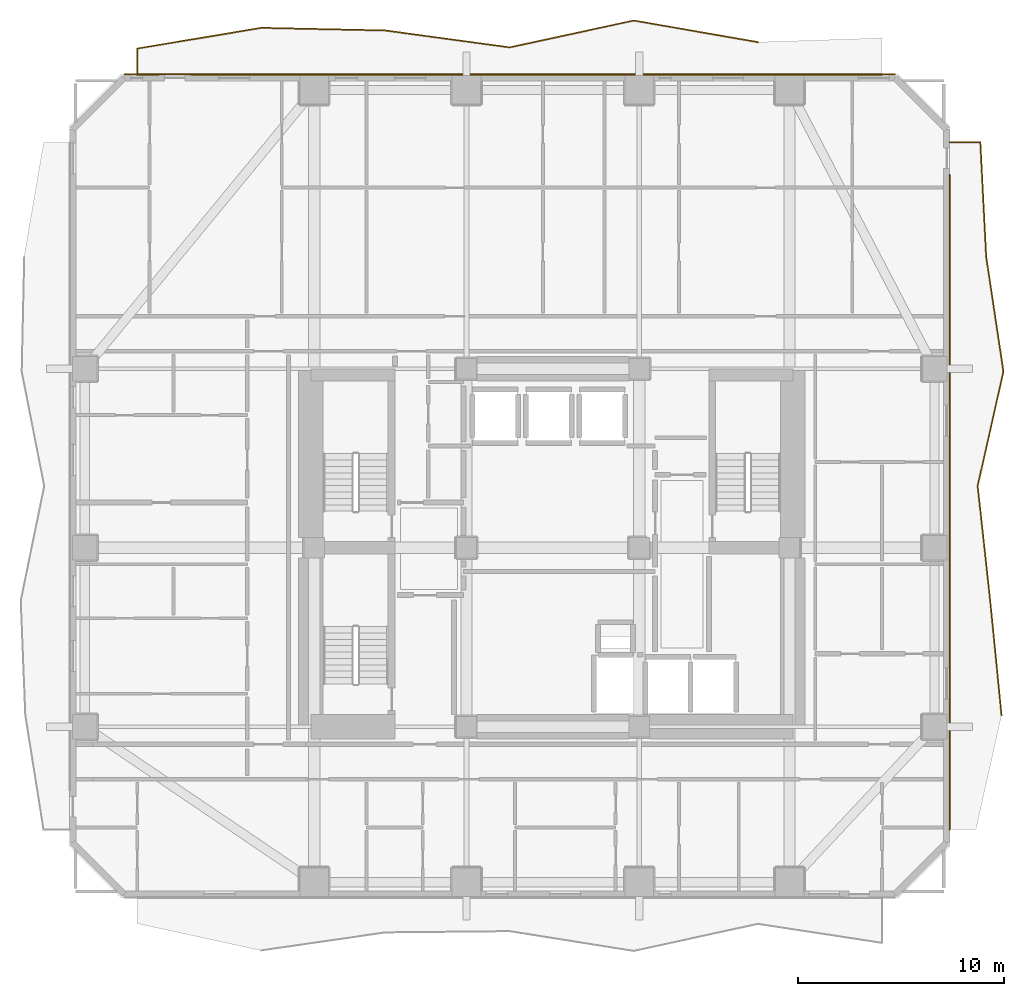
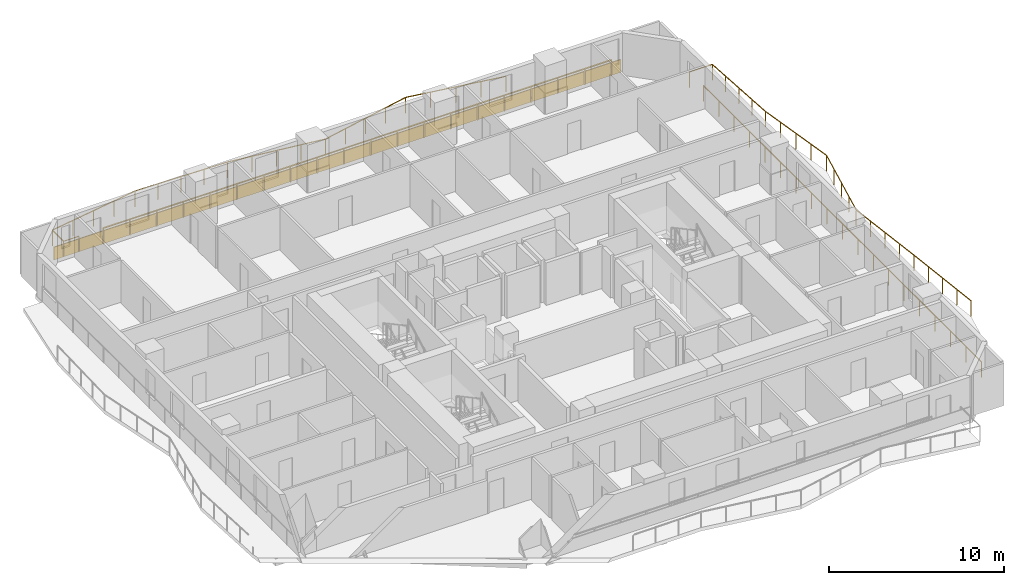
# One storey, part 12 of 12: 4 railings, 1 covering.
"""IFC4 building model written with IfcOpenShell, lengths in metres."""

from ifc_helpers import new_model, si_unit, direction, frame, frame_2d, origin, origin_2d, place, context, subcontext, project, spatial, rectangle, extrude, material, layer, layer_set, type_object, element, save


model = new_model("IFC4")

# Units and contexts
model_context = context("Model", 3, precision=1e-05, world=origin(), true_north=direction((0.0, 1.0)))
body_context = subcontext(model_context, "Body", "Model", "MODEL_VIEW")
ifc_project = project(units=[si_unit("LENGTHUNIT", "METRE"), si_unit("AREAUNIT", "SQUARE_METRE"), si_unit("VOLUMEUNIT", "CUBIC_METRE"), si_unit("PLANEANGLEUNIT", "RADIAN"), si_unit("MASSUNIT", "GRAM", prefix="KILO")], contexts=[model_context])

# Site, building, storey
site_placement = place(None, origin())
site = spatial("IfcSite", under=ifc_project, at=site_placement, CompositionType="ELEMENT")
building_placement = place(site_placement, origin())
building = spatial("IfcBuilding", under=site, at=building_placement, Name="Solanera Arch Residences", CompositionType="ELEMENT")
storey_placement = place(building_placement, frame((0.0, 0.0, 85.080078125)))
storey = spatial("IfcBuildingStorey", under=building, at=storey_placement, Name="L24", CompositionType="ELEMENT", Elevation=85.080078125)

# Railings
ifc_material_1 = material(Name="Steel S355 (ASTM A992 / A572 Grade 50)", Category="steel")
railing_type = type_object("IfcRailingType", Name="Balustrade Railing BL-1100", PredefinedType="BALUSTRADE", material=ifc_material_1)
railing_1_placement = place(storey_placement, frame((34.967041015625, 55.277099609375, 0.0)))
element("IfcRailing", 1, at=railing_1_placement, inside=storey, type_object=railing_type, Name="L24 N Balcony Balustrade 1", PredefinedType="BALUSTRADE", context=body_context, shape_type="SweptSolid", body=[
    extrude(rectangle(XDim=0.048095703125, YDim=0.048095703125, at=origin_2d()), frame((0.0, 0.0, 1.09619140625), z_axis=(-0.985226964904, 0.171253693758, 0.0), x_axis=(-0.171253693758, -0.985226964904, 0.0)), (0.0, 0.0, 1.0), 6.12451171875),
    extrude(rectangle(XDim=0.048095703125, YDim=0.048095703125, at=origin_2d()), frame((-6.033935546875, 1.048828125, 1.09619140625), z_axis=(-0.977398927395, -0.211403256188, 0.0), x_axis=(0.211403256188, -0.977398927395, 0.0)), (0.0, 0.0, 1.0), 6.172607421875),
    extrude(rectangle(XDim=0.048095703125, YDim=0.048095703125, at=origin_2d()), frame((-12.067138671875, -0.256103515625, 1.09619140625), z_axis=(-0.990866001883, 0.134850162451, 0.0), x_axis=(-0.134850162451, -0.990866001883, 0.0)), (0.0, 0.0, 1.0), 6.088623046875),
    extrude(rectangle(XDim=0.048095703125, YDim=0.048095703125, at=origin_2d()), frame((-18.10009765625, 0.56494140625, 1.09619140625), z_axis=(-0.999771877569, 0.021358670903, 0.0), x_axis=(-0.021358670903, -0.999771877569, 0.0)), (0.0, 0.0, 1.0), 6.035400390625),
    extrude(rectangle(XDim=0.048095703125, YDim=0.048095703125, at=origin_2d()), frame((-24.134033203125, 0.69384765625, 1.09619140625), z_axis=(-0.986384212618, -0.16445724398, 0.0), x_axis=(0.16445724398, -0.986384212618, 0.0)), (0.0, 0.0, 1.0), 6.1162109375),
    extrude(rectangle(XDim=0.048095703125, YDim=0.048095703125, at=origin_2d()), frame((-30.1669921875, -0.31201171875, 1.09619140625), z_axis=(0.0, -1.0, 0.0), x_axis=(1.0, 0.0, 0.0)), (0.0, 0.0, 1.0), 1.28515625),
    extrude(rectangle(XDim=0.048095703125, YDim=0.048095703125, at=origin_2d()), frame((-30.1669921875, -1.59716796875, 1.09619140625), z_axis=(1.0, 0.0, 0.0), x_axis=(0.0, 1.0, 0.0)), (0.0, 0.0, 1.0), 1.015869140625),
    extrude(rectangle(XDim=0.0419921875, YDim=0.0419921875, at=origin_2d()), origin(), (0.0, 0.0, 1.0), 1.072021484375),
    extrude(rectangle(XDim=0.0419921875, YDim=0.0419921875, at=origin_2d()), frame((-1.508544921875, 0.26220703125, 0.0)), (0.0, 0.0, 1.0), 1.072021484375),
    extrude(rectangle(XDim=0.0419921875, YDim=0.0419921875, at=origin_2d()), frame((-3.01708984375, 0.5244140625, 0.0)), (0.0, 0.0, 1.0), 1.072021484375),
    extrude(rectangle(XDim=0.0419921875, YDim=0.0419921875, at=origin_2d()), frame((-4.525390625, 0.78662109375, 0.0)), (0.0, 0.0, 1.0), 1.072021484375),
    extrude(rectangle(XDim=0.0419921875, YDim=0.0419921875, at=origin_2d()), frame((-6.033935546875, 1.048828125, 0.0)), (0.0, 0.0, 1.0), 1.072021484375),
    extrude(rectangle(XDim=0.0419921875, YDim=0.0419921875, at=origin_2d()), frame((-7.542236328125, 0.72265625, 0.0)), (0.0, 0.0, 1.0), 1.072021484375),
    extrude(rectangle(XDim=0.0419921875, YDim=0.0419921875, at=origin_2d()), frame((-9.050537109375, 0.396484375, 0.0)), (0.0, 0.0, 1.0), 1.072021484375),
    extrude(rectangle(XDim=0.0419921875, YDim=0.0419921875, at=origin_2d()), frame((-10.558837890625, 0.070068359375, 0.0)), (0.0, 0.0, 1.0), 1.072021484375),
    extrude(rectangle(XDim=0.0419921875, YDim=0.0419921875, at=origin_2d()), frame((-12.067138671875, -0.256103515625, 0.0)), (0.0, 0.0, 1.0), 1.072021484375),
    extrude(rectangle(XDim=0.0419921875, YDim=0.0419921875, at=origin_2d()), frame((-13.575439453125, -0.05078125, 0.0)), (0.0, 0.0, 1.0), 1.072021484375),
    extrude(rectangle(XDim=0.0419921875, YDim=0.0419921875, at=origin_2d()), frame((-15.08349609375, 0.154296875, 0.0)), (0.0, 0.0, 1.0), 1.072021484375),
    extrude(rectangle(XDim=0.0419921875, YDim=0.0419921875, at=origin_2d()), frame((-16.591796875, 0.359619140625, 0.0)), (0.0, 0.0, 1.0), 1.072021484375),
    extrude(rectangle(XDim=0.0419921875, YDim=0.0419921875, at=origin_2d()), frame((-18.10009765625, 0.56494140625, 0.0)), (0.0, 0.0, 1.0), 1.072021484375),
    extrude(rectangle(XDim=0.0419921875, YDim=0.0419921875, at=origin_2d()), frame((-19.608642578125, 0.59716796875, 0.0)), (0.0, 0.0, 1.0), 1.072021484375),
    extrude(rectangle(XDim=0.0419921875, YDim=0.0419921875, at=origin_2d()), frame((-21.1171875, 0.62939453125, 0.0)), (0.0, 0.0, 1.0), 1.072021484375),
    extrude(rectangle(XDim=0.0419921875, YDim=0.0419921875, at=origin_2d()), frame((-22.62548828125, 0.66162109375, 0.0)), (0.0, 0.0, 1.0), 1.072021484375),
    extrude(rectangle(XDim=0.0419921875, YDim=0.0419921875, at=origin_2d()), frame((-24.134033203125, 0.69384765625, 0.0)), (0.0, 0.0, 1.0), 1.072021484375),
    extrude(rectangle(XDim=0.0419921875, YDim=0.0419921875, at=origin_2d()), frame((-25.642333984375, 0.4423828125, 0.0)), (0.0, 0.0, 1.0), 1.072021484375),
    extrude(rectangle(XDim=0.0419921875, YDim=0.0419921875, at=origin_2d()), frame((-27.150390625, 0.19091796875, 0.0)), (0.0, 0.0, 1.0), 1.072021484375),
    extrude(rectangle(XDim=0.0419921875, YDim=0.0419921875, at=origin_2d()), frame((-28.65869140625, -0.060546875, 0.0)), (0.0, 0.0, 1.0), 1.072021484375),
    extrude(rectangle(XDim=0.0419921875, YDim=0.0419921875, at=origin_2d()), frame((-30.1669921875, -0.31201171875, 0.0)), (0.0, 0.0, 1.0), 1.072021484375),
    extrude(rectangle(XDim=0.0419921875, YDim=0.0419921875, at=origin_2d()), frame((-30.1669921875, -1.59716796875, 0.0)), (0.0, 0.0, 1.0), 1.072021484375),
    extrude(rectangle(XDim=0.0419921875, YDim=0.0419921875, at=origin_2d()), frame((-29.151123046875, -1.59716796875, 0.0)), (0.0, 0.0, 1.0), 1.072021484375),
])
railing_2_placement = place(storey_placement, frame((7.416015625, 53.679931640625, 0.0)))
element("IfcRailing", 2, at=railing_2_placement, inside=storey, type_object=railing_type, Name="L24 N Balcony Balustrade 2", PredefinedType="BALUSTRADE", context=body_context, shape_type="SweptSolid", body=[
    extrude(rectangle(XDim=0.048095703125, YDim=0.048095703125, at=origin_2d()), frame((0.0, 0.0, 1.09619140625), z_axis=(1.0, 0.0, 0.0), x_axis=(0.0, 1.0, 0.0)), (0.0, 0.0, 1.0), 33.583984375),
    extrude(rectangle(XDim=0.0419921875, YDim=0.0419921875, at=origin_2d()), origin(), (0.0, 0.0, 1.0), 1.072021484375),
    extrude(rectangle(XDim=0.0419921875, YDim=0.0419921875, at=origin_2d()), frame((1.767578125, 0.0, 0.0)), (0.0, 0.0, 1.0), 1.072021484375),
    extrude(rectangle(XDim=0.0419921875, YDim=0.0419921875, at=origin_2d()), frame((3.53515625, 0.0, 0.0)), (0.0, 0.0, 1.0), 1.072021484375),
    extrude(rectangle(XDim=0.0419921875, YDim=0.0419921875, at=origin_2d()), frame((5.302734375, 0.0, 0.0)), (0.0, 0.0, 1.0), 1.072021484375),
    extrude(rectangle(XDim=0.0419921875, YDim=0.0419921875, at=origin_2d()), frame((7.0703125, 0.0, 0.0)), (0.0, 0.0, 1.0), 1.072021484375),
    extrude(rectangle(XDim=0.0419921875, YDim=0.0419921875, at=origin_2d()), frame((8.837890625, 0.0, 0.0)), (0.0, 0.0, 1.0), 1.072021484375),
    extrude(rectangle(XDim=0.0419921875, YDim=0.0419921875, at=origin_2d()), frame((10.60546875, 0.0, 0.0)), (0.0, 0.0, 1.0), 1.072021484375),
    extrude(rectangle(XDim=0.0419921875, YDim=0.0419921875, at=origin_2d()), frame((12.373046875, 0.0, 0.0)), (0.0, 0.0, 1.0), 1.072021484375),
    extrude(rectangle(XDim=0.0419921875, YDim=0.0419921875, at=origin_2d()), frame((14.140625, 0.0, 0.0)), (0.0, 0.0, 1.0), 1.072021484375),
    extrude(rectangle(XDim=0.0419921875, YDim=0.0419921875, at=origin_2d()), frame((15.908203125, 0.0, 0.0)), (0.0, 0.0, 1.0), 1.072021484375),
    extrude(rectangle(XDim=0.0419921875, YDim=0.0419921875, at=origin_2d()), frame((17.67578125, 0.0, 0.0)), (0.0, 0.0, 1.0), 1.072021484375),
    extrude(rectangle(XDim=0.0419921875, YDim=0.0419921875, at=origin_2d()), frame((19.443359375, 0.0, 0.0)), (0.0, 0.0, 1.0), 1.072021484375),
    extrude(rectangle(XDim=0.0419921875, YDim=0.0419921875, at=origin_2d()), frame((21.2109375, 0.0, 0.0)), (0.0, 0.0, 1.0), 1.072021484375),
    extrude(rectangle(XDim=0.0419921875, YDim=0.0419921875, at=origin_2d()), frame((22.978515625, 0.0, 0.0)), (0.0, 0.0, 1.0), 1.072021484375),
    extrude(rectangle(XDim=0.0419921875, YDim=0.0419921875, at=origin_2d()), frame((24.74609375, 0.0, 0.0)), (0.0, 0.0, 1.0), 1.072021484375),
    extrude(rectangle(XDim=0.0419921875, YDim=0.0419921875, at=origin_2d()), frame((26.513671875, 0.0, 0.0)), (0.0, 0.0, 1.0), 1.072021484375),
    extrude(rectangle(XDim=0.0419921875, YDim=0.0419921875, at=origin_2d()), frame((28.28125, 0.0, 0.0)), (0.0, 0.0, 1.0), 1.072021484375),
    extrude(rectangle(XDim=0.0419921875, YDim=0.0419921875, at=origin_2d()), frame((30.048828125, 0.0, 0.0)), (0.0, 0.0, 1.0), 1.072021484375),
    extrude(rectangle(XDim=0.0419921875, YDim=0.0419921875, at=origin_2d()), frame((31.81640625, 0.0, 0.0)), (0.0, 0.0, 1.0), 1.072021484375),
    extrude(rectangle(XDim=0.0419921875, YDim=0.0419921875, at=origin_2d()), frame((33.583984375, 0.0, 0.0)), (0.0, 0.0, 1.0), 1.072021484375),
])
railing_3_placement = place(storey_placement, frame((46.80908203125, 22.56689453125, 0.0)))
element("IfcRailing", 3, at=railing_3_placement, inside=storey, type_object=railing_type, Name="L24 E Balcony Balustrade 1", PredefinedType="BALUSTRADE", context=body_context, shape_type="SweptSolid", body=[
    extrude(rectangle(XDim=0.048095703125, YDim=0.048095703125, at=origin_2d()), frame((0.0, 0.0, 1.09619140625), z_axis=(-0.098341119257, 0.995152764285, 0.0), x_axis=(-0.995152764285, -0.098341119257, 0.0)), (0.0, 0.0, 1.0), 5.59326171875),
    extrude(rectangle(XDim=0.048095703125, YDim=0.048095703125, at=origin_2d()), frame((-0.550048828125, 5.566162109375, 1.09619140625), z_axis=(-0.108771017669, 0.994066831614, 0.0), x_axis=(-0.994066831614, -0.108771017669, 0.0)), (0.0, 0.0, 1.0), 5.60009765625),
    extrude(rectangle(XDim=0.048095703125, YDim=0.048095703125, at=origin_2d()), frame((-1.1591796875, 11.133056640625, 1.09619140625), z_axis=(0.219606872266, 0.975588448914, 0.0), x_axis=(-0.975588448914, 0.219606872266, 0.0)), (0.0, 0.0, 1.0), 5.70654296875),
    extrude(rectangle(XDim=0.048095703125, YDim=0.048095703125, at=origin_2d()), frame((0.093994140625, 16.7001953125, 1.09619140625), z_axis=(-0.148904615277, 0.988851563962, 0.0), x_axis=(-0.988851563962, -0.148904615277, 0.0)), (0.0, 0.0, 1.0), 5.628662109375),
    extrude(rectangle(XDim=0.048095703125, YDim=0.048095703125, at=origin_2d()), frame((-0.744140625, 22.26611328125, 1.09619140625), z_axis=(-0.051287557178, 0.998683927216, 0.0), x_axis=(-0.998683927216, -0.051287557178, 0.0)), (0.0, 0.0, 1.0), 5.57421875),
    extrude(rectangle(XDim=0.048095703125, YDim=0.048095703125, at=origin_2d()), frame((-1.030029296875, 27.8330078125, 1.09619140625), z_axis=(-1.0, 0.0, 0.0), x_axis=(0.0, -1.0, 0.0)), (0.0, 0.0, 1.0), 1.4990234375),
    extrude(rectangle(XDim=0.0419921875, YDim=0.0419921875, at=origin_2d()), origin(), (0.0, 0.0, 1.0), 1.072021484375),
    extrude(rectangle(XDim=0.0419921875, YDim=0.0419921875, at=origin_2d()), frame((-0.137451171875, 1.3916015625, 0.0)), (0.0, 0.0, 1.0), 1.072021484375),
    extrude(rectangle(XDim=0.0419921875, YDim=0.0419921875, at=origin_2d()), frame((-0.27490234375, 2.783203125, 0.0)), (0.0, 0.0, 1.0), 1.072021484375),
    extrude(rectangle(XDim=0.0419921875, YDim=0.0419921875, at=origin_2d()), frame((-0.41259765625, 4.174560546875, 0.0)), (0.0, 0.0, 1.0), 1.072021484375),
    extrude(rectangle(XDim=0.0419921875, YDim=0.0419921875, at=origin_2d()), frame((-0.550048828125, 5.566162109375, 0.0)), (0.0, 0.0, 1.0), 1.072021484375),
    extrude(rectangle(XDim=0.0419921875, YDim=0.0419921875, at=origin_2d()), frame((-0.702392578125, 6.9580078125, 0.0)), (0.0, 0.0, 1.0), 1.072021484375),
    extrude(rectangle(XDim=0.0419921875, YDim=0.0419921875, at=origin_2d()), frame((-0.8544921875, 8.349609375, 0.0)), (0.0, 0.0, 1.0), 1.072021484375),
    extrude(rectangle(XDim=0.0419921875, YDim=0.0419921875, at=origin_2d()), frame((-1.0068359375, 9.7412109375, 0.0)), (0.0, 0.0, 1.0), 1.072021484375),
    extrude(rectangle(XDim=0.0419921875, YDim=0.0419921875, at=origin_2d()), frame((-1.1591796875, 11.133056640625, 0.0)), (0.0, 0.0, 1.0), 1.072021484375),
    extrude(rectangle(XDim=0.0419921875, YDim=0.0419921875, at=origin_2d()), frame((-0.845947265625, 12.52490234375, 0.0)), (0.0, 0.0, 1.0), 1.072021484375),
    extrude(rectangle(XDim=0.0419921875, YDim=0.0419921875, at=origin_2d()), frame((-0.53271484375, 13.91650390625, 0.0)), (0.0, 0.0, 1.0), 1.072021484375),
    extrude(rectangle(XDim=0.0419921875, YDim=0.0419921875, at=origin_2d()), frame((-0.21923828125, 15.308349609375, 0.0)), (0.0, 0.0, 1.0), 1.072021484375),
    extrude(rectangle(XDim=0.0419921875, YDim=0.0419921875, at=origin_2d()), frame((0.093994140625, 16.7001953125, 0.0)), (0.0, 0.0, 1.0), 1.072021484375),
    extrude(rectangle(XDim=0.0419921875, YDim=0.0419921875, at=origin_2d()), frame((-0.115478515625, 18.091796875, 0.0)), (0.0, 0.0, 1.0), 1.072021484375),
    extrude(rectangle(XDim=0.0419921875, YDim=0.0419921875, at=origin_2d()), frame((-0.3251953125, 19.483154296875, 0.0)), (0.0, 0.0, 1.0), 1.072021484375),
    extrude(rectangle(XDim=0.0419921875, YDim=0.0419921875, at=origin_2d()), frame((-0.53466796875, 20.87451171875, 0.0)), (0.0, 0.0, 1.0), 1.072021484375),
    extrude(rectangle(XDim=0.0419921875, YDim=0.0419921875, at=origin_2d()), frame((-0.744140625, 22.26611328125, 0.0)), (0.0, 0.0, 1.0), 1.072021484375),
    extrude(rectangle(XDim=0.0419921875, YDim=0.0419921875, at=origin_2d()), frame((-0.815673828125, 23.65771484375, 0.0)), (0.0, 0.0, 1.0), 1.072021484375),
    extrude(rectangle(XDim=0.0419921875, YDim=0.0419921875, at=origin_2d()), frame((-0.88720703125, 25.049560546875, 0.0)), (0.0, 0.0, 1.0), 1.072021484375),
    extrude(rectangle(XDim=0.0419921875, YDim=0.0419921875, at=origin_2d()), frame((-0.95849609375, 26.44140625, 0.0)), (0.0, 0.0, 1.0), 1.072021484375),
    extrude(rectangle(XDim=0.0419921875, YDim=0.0419921875, at=origin_2d()), frame((-1.030029296875, 27.8330078125, 0.0)), (0.0, 0.0, 1.0), 1.072021484375),
    extrude(rectangle(XDim=0.0419921875, YDim=0.0419921875, at=origin_2d()), frame((-2.529052734375, 27.8330078125, 0.0)), (0.0, 0.0, 1.0), 1.072021484375),
])
railing_4_placement = place(storey_placement, frame((44.280029296875, 48.833984375, 0.0)))
element("IfcRailing", 4, at=railing_4_placement, inside=storey, type_object=railing_type, Name="L24 E Balcony Balustrade 2", PredefinedType="BALUSTRADE", context=body_context, shape_type="SweptSolid", body=[
    extrude(rectangle(XDim=0.048095703125, YDim=0.048095703125, at=origin_2d()), frame((0.0, 0.0, 1.09619140625), z_axis=(0.0, -1.0, 0.0), x_axis=(1.0, 0.0, 0.0)), (0.0, 0.0, 1.0), 31.833984375),
    extrude(rectangle(XDim=0.0419921875, YDim=0.0419921875, at=origin_2d()), origin(), (0.0, 0.0, 1.0), 1.072021484375),
    extrude(rectangle(XDim=0.0419921875, YDim=0.0419921875, at=origin_2d()), frame((0.0, -1.7685546875, 0.0)), (0.0, 0.0, 1.0), 1.072021484375),
    extrude(rectangle(XDim=0.0419921875, YDim=0.0419921875, at=origin_2d()), frame((0.0, -3.537109375, 0.0)), (0.0, 0.0, 1.0), 1.072021484375),
    extrude(rectangle(XDim=0.0419921875, YDim=0.0419921875, at=origin_2d()), frame((0.0, -5.3056640625, 0.0)), (0.0, 0.0, 1.0), 1.072021484375),
    extrude(rectangle(XDim=0.0419921875, YDim=0.0419921875, at=origin_2d()), frame((0.0, -7.07421875, 0.0)), (0.0, 0.0, 1.0), 1.072021484375),
    extrude(rectangle(XDim=0.0419921875, YDim=0.0419921875, at=origin_2d()), frame((0.0, -8.8427734375, 0.0)), (0.0, 0.0, 1.0), 1.072021484375),
    extrude(rectangle(XDim=0.0419921875, YDim=0.0419921875, at=origin_2d()), frame((0.0, -10.611328125, 0.0)), (0.0, 0.0, 1.0), 1.072021484375),
    extrude(rectangle(XDim=0.0419921875, YDim=0.0419921875, at=origin_2d()), frame((0.0, -12.3798828125, 0.0)), (0.0, 0.0, 1.0), 1.072021484375),
    extrude(rectangle(XDim=0.0419921875, YDim=0.0419921875, at=origin_2d()), frame((0.0, -14.1484375, 0.0)), (0.0, 0.0, 1.0), 1.072021484375),
    extrude(rectangle(XDim=0.0419921875, YDim=0.0419921875, at=origin_2d()), frame((0.0, -15.9169921875, 0.0)), (0.0, 0.0, 1.0), 1.072021484375),
    extrude(rectangle(XDim=0.0419921875, YDim=0.0419921875, at=origin_2d()), frame((0.0, -17.685546875, 0.0)), (0.0, 0.0, 1.0), 1.072021484375),
    extrude(rectangle(XDim=0.0419921875, YDim=0.0419921875, at=origin_2d()), frame((0.0, -19.4541015625, 0.0)), (0.0, 0.0, 1.0), 1.072021484375),
    extrude(rectangle(XDim=0.0419921875, YDim=0.0419921875, at=origin_2d()), frame((0.0, -21.22265625, 0.0)), (0.0, 0.0, 1.0), 1.072021484375),
    extrude(rectangle(XDim=0.0419921875, YDim=0.0419921875, at=origin_2d()), frame((0.0, -22.9912109375, 0.0)), (0.0, 0.0, 1.0), 1.072021484375),
    extrude(rectangle(XDim=0.0419921875, YDim=0.0419921875, at=origin_2d()), frame((0.0, -24.759765625, 0.0)), (0.0, 0.0, 1.0), 1.072021484375),
    extrude(rectangle(XDim=0.0419921875, YDim=0.0419921875, at=origin_2d()), frame((0.0, -26.5283203125, 0.0)), (0.0, 0.0, 1.0), 1.072021484375),
    extrude(rectangle(XDim=0.0419921875, YDim=0.0419921875, at=origin_2d()), frame((0.0, -28.296875, 0.0)), (0.0, 0.0, 1.0), 1.072021484375),
    extrude(rectangle(XDim=0.0419921875, YDim=0.0419921875, at=origin_2d()), frame((0.0, -30.0654296875, 0.0)), (0.0, 0.0, 1.0), 1.072021484375),
    extrude(rectangle(XDim=0.0419921875, YDim=0.0419921875, at=origin_2d()), frame((0.0, -31.833984375, 0.0)), (0.0, 0.0, 1.0), 1.072021484375),
])

# Covering
ifc_material_2 = material(Name="Philippine Adobe Travertine Cladding", Category="masonry")
ifc_layer = layer(ifc_material_2, 0.06005859375)
ifc_layer_set = layer_set([ifc_layer], Name="Philippine Adobe Travertine Cladding")
covering_type = type_object("IfcCoveringType", Name="Precast Pier Stone Cladding CLD-60", PredefinedType="CLADDING", material=ifc_layer_set)
covering_placement = place(storey_placement, frame((4.1650390625, 53.715087890625, 0.0), z_axis=(0.0, 0.0, 1.0), x_axis=(1.0, 0.0, 0.0)))
element("IfcCovering", 5, at=covering_placement, inside=storey, type_object=covering_type, Name="L24 N Precast Spandrel Stone Band", PredefinedType="CLADDING", context=body_context, shape_type="SweptSolid", body=[
    extrude(rectangle(XDim=37.469970703125, YDim=0.06005859375, at=frame_2d((18.73486328125, 0.0))), origin(), (0.0, 0.0, 1.0), 0.89990234375),
])

save(model, "model.ifc")
